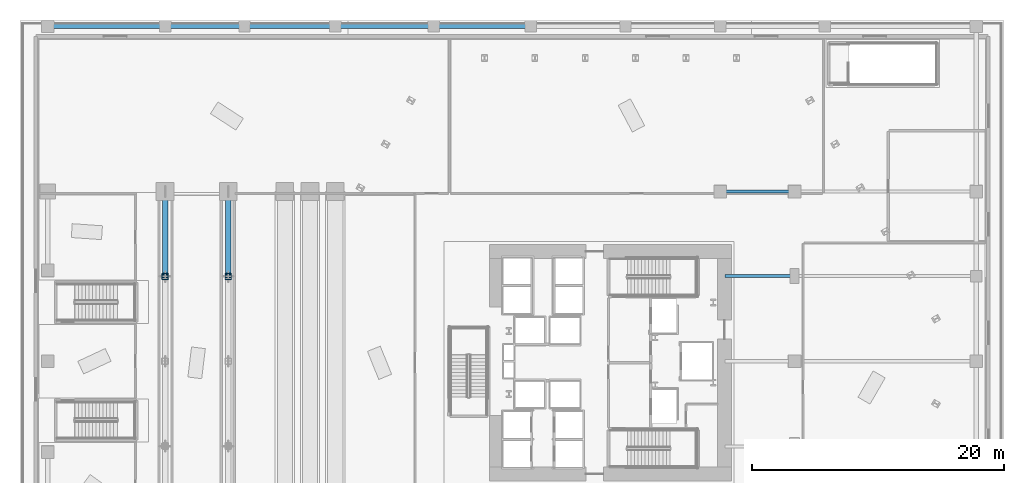
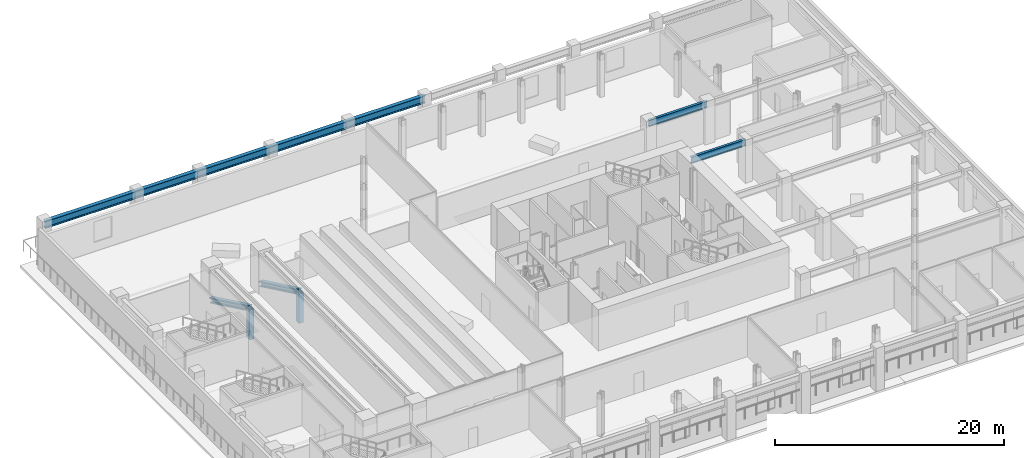
# One storey, part 4 of 24: 4 members, 3 beams.
"""IFC4 building model written with IfcOpenShell, lengths in metres."""

from ifc_helpers import new_model, si_unit, direction, frame, origin, origin_2d, place, context, subcontext, project, spatial, hollow_rectangle, i_section, extrude, material, material_profile, profile_set, type_object, element, save


model = new_model("IFC4")

# Units and contexts
model_context = context("Model", 3, precision=1e-05, world=origin(), true_north=direction((0.0, 1.0)))
body_context = subcontext(model_context, "Body", "Model", "MODEL_VIEW")
ifc_project = project(units=[si_unit("LENGTHUNIT", "METRE"), si_unit("AREAUNIT", "SQUARE_METRE"), si_unit("VOLUMEUNIT", "CUBIC_METRE"), si_unit("PLANEANGLEUNIT", "RADIAN"), si_unit("MASSUNIT", "GRAM", prefix="KILO")], contexts=[model_context])

# Site, building, storey
site_placement = place(None, origin())
site = spatial("IfcSite", under=ifc_project, at=site_placement, CompositionType="ELEMENT")
building_placement = place(site_placement, origin())
building = spatial("IfcBuilding", under=site, at=building_placement, Name="Valkerne Bourse Tower", CompositionType="ELEMENT")
storey_placement = place(building_placement, frame((0.0, 0.0, 19.39990234375)))
storey = spatial("IfcBuildingStorey", under=building, at=storey_placement, Name="L04", CompositionType="ELEMENT", Elevation=19.39990234375)

# Beams
ifc_material_1 = material(Name="Steel ASTM A992", Category="steel")
ifc_material_profile_1 = material_profile(ifc_material_1, i_section(OverallWidth=0.255859375, OverallDepth=0.693359375, WebThickness=0.014404296875, FlangeThickness=0.023681640625, FilletRadius=0.02294921875, at=origin_2d()), Name="W27X114")
ifc_profile_set_1 = profile_set([ifc_material_profile_1], Name="Steel ASTM A992")
beam_type_1 = type_object("IfcBeamType", Name="BM-W27X114", PredefinedType="BEAM", material=ifc_profile_set_1)
beam_1_placement = place(storey_placement, frame((55.89990234375, 33.75, 3.953369140625), z_axis=(1.0, 0.0, 0.0), x_axis=(0.0, 1.0, 0.0)))
element("IfcBeam", 1, at=beam_1_placement, inside=storey, type_object=beam_type_1, Name="L04 East Wing Floor Girder 1 Y33", PredefinedType="BEAM", context=body_context, shape_type="SweptSolid", body=[
    extrude(i_section(OverallWidth=0.255859375, OverallDepth=0.693359375, WebThickness=0.014404296875, FlangeThickness=0.023681640625, FilletRadius=0.02294921875, at=origin_2d()), origin(), (0.0, 0.0, 1.0), 5.5),
])
beam_2_placement = place(storey_placement, frame((55.5, 40.449951171875, 3.953369140625), z_axis=(1.0, 0.0, 0.0), x_axis=(0.0, 1.0, 0.0)))
element("IfcBeam", 2, at=beam_2_placement, inside=storey, type_object=beam_type_1, Name="L04 East Wing Floor Girder 1 Y40", PredefinedType="BEAM", context=body_context, shape_type="SweptSolid", body=[
    extrude(i_section(OverallWidth=0.255859375, OverallDepth=0.693359375, WebThickness=0.014404296875, FlangeThickness=0.023681640625, FilletRadius=0.02294921875, at=origin_2d()), origin(), (0.0, 0.0, 1.0), 5.89990234375),
])
ifc_material_profile_2 = material_profile(ifc_material_1, i_section(OverallWidth=0.383544921875, OverallDepth=0.784912109375, WebThickness=0.019775390625, FlangeThickness=0.033447265625, FilletRadius=0.025390625, at=origin_2d()), Name="W30X211")
ifc_profile_set_2 = profile_set([ifc_material_profile_2], Name="Steel ASTM A992")
beam_type_2 = type_object("IfcBeamType", Name="BM-W30X211", PredefinedType="SPANDREL", material=ifc_profile_set_2)
beam_3_placement = place(storey_placement, frame((2.199951171875, 53.550048828125, 3.90771484375), z_axis=(1.0, 0.0, 0.0), x_axis=(0.0, 1.0, 0.0)))
element("IfcBeam", 3, at=beam_3_placement, inside=storey, type_object=beam_type_2, Name="L04 Podium Spandrel Girder N1", PredefinedType="SPANDREL", context=body_context, shape_type="SweptSolid", body=[
    extrude(i_section(OverallWidth=0.383544921875, OverallDepth=0.784912109375, WebThickness=0.019775390625, FlangeThickness=0.033447265625, FilletRadius=0.025390625, at=origin_2d()), origin(), (0.0, 0.0, 1.0), 38.300048828125),
])

# Members
ifc_material_2 = material(Name="Steel ASTM A500 Grade C", Category="steel")
ifc_material_profile_3 = material_profile(ifc_material_2, hollow_rectangle(XDim=0.5, YDim=0.5, WallThickness=0.02001953125, OuterFilletRadius=0.0400390625, at=origin_2d()), Name="HSS500X500X20")
ifc_profile_set_3 = profile_set([ifc_material_profile_3], Name="Steel ASTM A500 Grade C")
member_type_1 = type_object("IfcMemberType", Name="MBR-HSS500X500X20", PredefinedType="BRACE", material=ifc_profile_set_3)
for number, where, z_axis, x_axis, name in (
    (4, (11.5, 33.719970703125, 0.546142578125), (0.0, 0.0, 1.0), (1.0, 0.0, 0.0), "L04 Hall Transfer Truss Vertical X11-3"),
    (5, (16.5, 33.719970703125, 0.546142578125), (0.0, 0.0, 1.0), (1.0, 0.0, 0.0), "L04 Hall Transfer Truss Vertical X16-3"),
):
    element("IfcMember", number, at=place(storey_placement, frame(where, z_axis=z_axis, x_axis=x_axis)), inside=storey, type_object=member_type_1, Name=name, PredefinedType="BRACE", context=body_context, shape_type="SweptSolid", body=[
        extrude(hollow_rectangle(XDim=0.5, YDim=0.5, WallThickness=0.02001953125, OuterFilletRadius=0.0400390625, at=origin_2d()), origin(), (0.0, 0.0, 1.0), 3.220458984375),
    ])
ifc_material_3 = material(Name="Steel ASTM A913 Grade 65", Category="steel")
ifc_material_profile_4 = material_profile(ifc_material_3, i_section(OverallWidth=0.44189453125, OverallDepth=0.531005859375, WebThickness=0.06591796875, FlangeThickness=0.105712890625, FilletRadius=0.030517578125, at=origin_2d()), Name="W14X605")
ifc_profile_set_4 = profile_set([ifc_material_profile_4], Name="Steel ASTM A913 Grade 65")
member_type_2 = type_object("IfcMemberType", Name="MBR-W14X605", PredefinedType="BRACE", material=ifc_profile_set_4)
for number, where, z_axis, x_axis, name in (
    (6, (11.5, 33.719970703125, 3.7666015625), (0.0, 0.902041720731, -0.431648855045), (-1.0, 0.0, 0.0), "L04 Hall Transfer Truss Diagonal X11-4"),
    (7, (16.5, 33.719970703125, 3.7666015625), (0.0, 0.902041720731, -0.431648855045), (-1.0, 0.0, 0.0), "L04 Hall Transfer Truss Diagonal X16-4"),
):
    element("IfcMember", number, at=place(storey_placement, frame(where, z_axis=z_axis, x_axis=x_axis)), inside=storey, type_object=member_type_2, Name=name, PredefinedType="BRACE", context=body_context, shape_type="SweptSolid", body=[
        extrude(i_section(OverallWidth=0.44189453125, OverallDepth=0.531005859375, WebThickness=0.06591796875, FlangeThickness=0.105712890625, FilletRadius=0.030517578125, at=origin_2d()), origin(), (0.0, 0.0, 1.0), 7.4609375),
    ])

save(model, "model.ifc")
